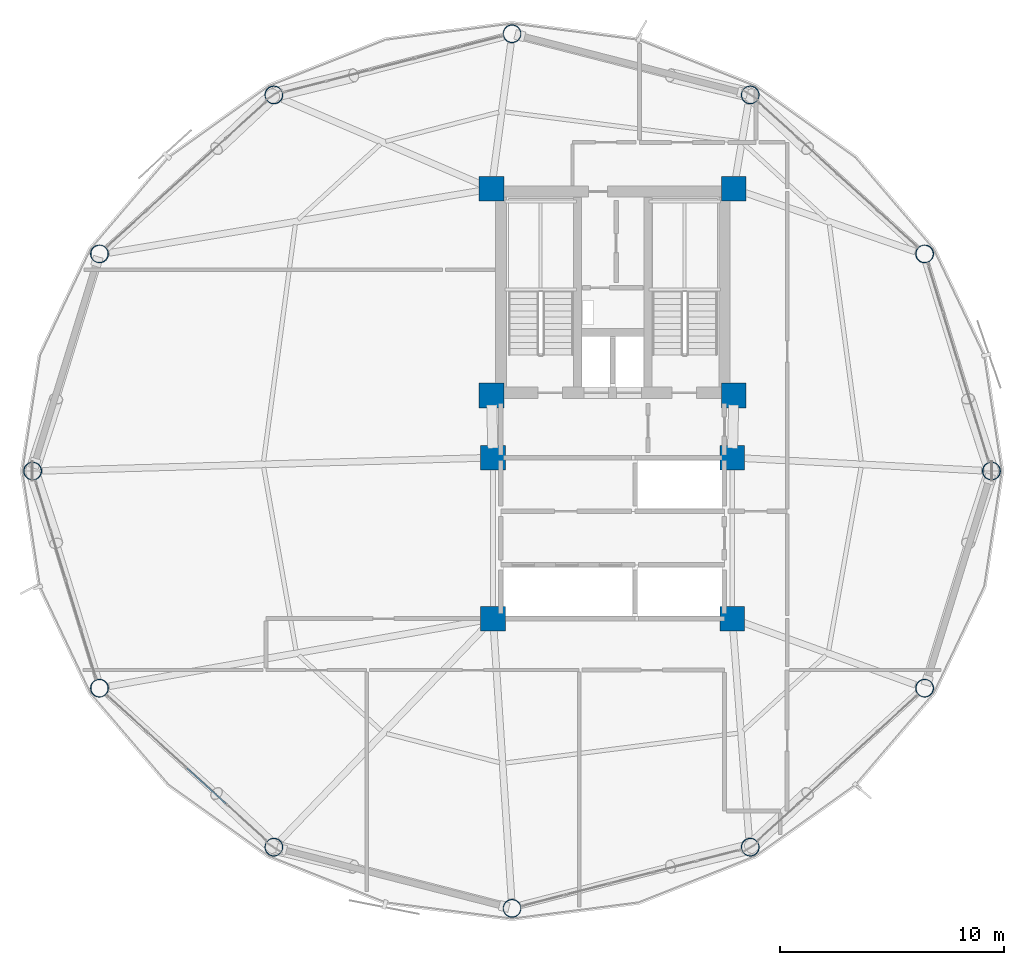
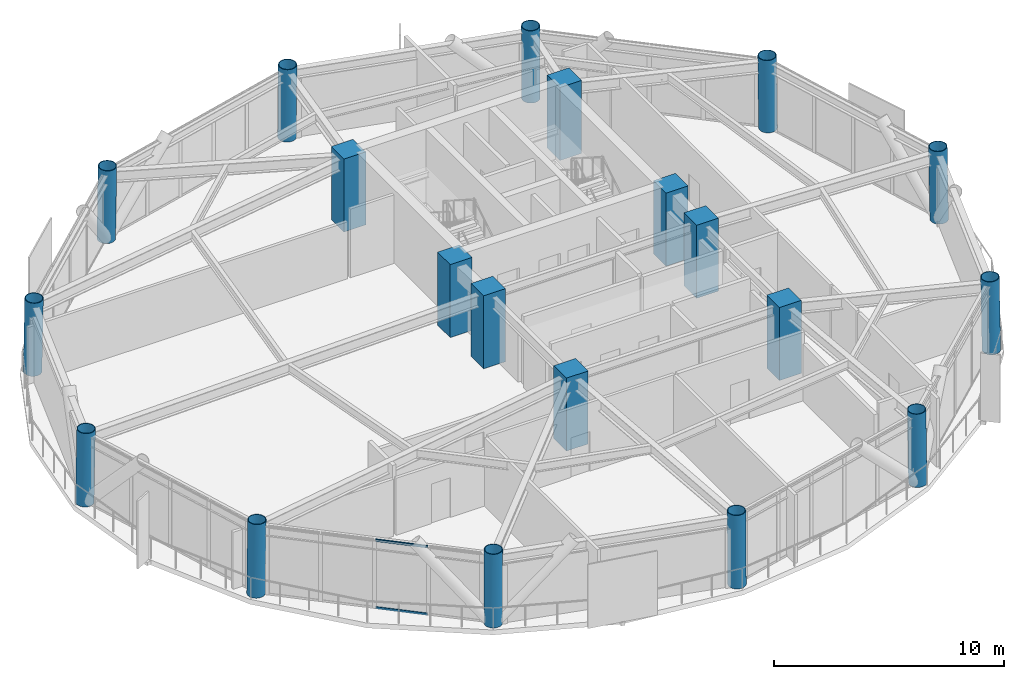
# One storey, part 1 of 24: 20 columns, 2 members, 1 element without a shape of its own.
"""IFC4 building model written with IfcOpenShell, lengths in metres."""

from ifc_helpers import new_model, si_unit, direction, frame, origin, origin_2d, place, context, subcontext, project, spatial, rectangle, hollow_rectangle, hollow_circle, extrude, material, layer, layer_set, material_profile, profile_set, type_object, element, aggregate, save


model = new_model("IFC4")

# Units and contexts
model_context = context("Model", 3, precision=1e-05, world=origin(), true_north=direction((0.0, 1.0)))
body_context = subcontext(model_context, "Body", "Model", "MODEL_VIEW")
ifc_project = project(units=[si_unit("LENGTHUNIT", "METRE"), si_unit("AREAUNIT", "SQUARE_METRE"), si_unit("VOLUMEUNIT", "CUBIC_METRE"), si_unit("PLANEANGLEUNIT", "RADIAN"), si_unit("MASSUNIT", "GRAM", prefix="KILO")], contexts=[model_context])

# Site, building, storey
site_placement = place(None, origin())
site = spatial("IfcSite", under=ifc_project, at=site_placement, CompositionType="ELEMENT")
building_placement = place(site_placement, origin())
building = spatial("IfcBuilding", under=site, at=building_placement, Name="Varnakorn Sky Granary", CompositionType="ELEMENT")
storey_placement = place(building_placement, frame((0.0, 0.0, 111.0)))
storey = spatial("IfcBuildingStorey", under=building, at=storey_placement, Name="L27", CompositionType="ELEMENT", Elevation=111.0)

# Columns
ifc_material_1 = material(Name="Steel S460M", Category="steel")
ifc_material_profile_1 = material_profile(ifc_material_1, hollow_circle(Radius=0.406494140625, WallThickness=0.030029296875, at=origin_2d()), Name="CHS 813x30")
ifc_profile_set_1 = profile_set([ifc_material_profile_1], Name="Steel S460M")
column_type_1 = type_object("IfcColumnType", Name="COL-DC-Z2", PredefinedType="COLUMN", material=ifc_profile_set_1)
for number, where, z_axis, x_axis, name in (
    (1, (19.949951171875, 0.0, 0.0), (-0.017260533083, 0.0, 0.999851025902), (0.0, -1.0, 0.0), "Drum Perimeter Column DC01 L27"),
    (2, (16.959228515625, 9.714599609375, 0.0), (-0.014930012538, -0.006110595849, 0.999869869205), (0.378784893666, -0.925484740193, 0.0), "Drum Perimeter Column DC02 L27"),
):
    element("IfcColumn", number, at=place(storey_placement, frame(where, z_axis=z_axis, x_axis=x_axis)), inside=storey, type_object=column_type_1, Name=name, PredefinedType="COLUMN", context=body_context, shape_type="SweptSolid", body=[
        extrude(hollow_circle(Radius=0.406494140625, WallThickness=0.030029296875, at=origin_2d()), origin(), (0.0, 0.0, 1.0), 3.87548828125),
    ])
for number, where, z_axis, x_axis, name in (
    (3, (9.157470703125, 16.825927734375, 0.0), (-0.008630758912, -0.010457707878, 0.999908068948), (0.771259229251, -0.636521171129, 0.0), "Drum Perimeter Column DC03 L27"),
    (4, (-1.5, 19.56396484375, 0.0), (0.0, -0.012095889218, 0.999926842056), (1.0, 0.0, 0.0), "Drum Perimeter Column DC04 L27"),
    (5, (-12.157470703125, 16.825927734375, 0.0), (0.008630758912, -0.010457707878, 0.999908068948), (0.771259229251, 0.636521171129, 0.0), "Drum Perimeter Column DC05 L27"),
):
    element("IfcColumn", number, at=place(storey_placement, frame(where, z_axis=z_axis, x_axis=x_axis)), inside=storey, type_object=column_type_1, Name=name, PredefinedType="COLUMN", context=body_context, shape_type="SweptSolid", body=[
        extrude(hollow_circle(Radius=0.406494140625, WallThickness=0.030029296875, at=origin_2d()), origin(), (0.0, 0.0, 1.0), 3.875244140625),
    ])
for number, where, z_axis, x_axis, name in (
    (6, (-19.959228515625, 9.714599609375, 0.0), (0.014930012538, -0.006110595849, 0.999869869205), (0.378784893666, 0.925484740193, 0.0), "Drum Perimeter Column DC06 L27"),
    (7, (-22.949951171875, 0.0, 0.0), (0.017260533083, 0.0, 0.999851025902), (0.0, 1.0, 0.0), "Drum Perimeter Column DC07 L27"),
    (8, (-19.959228515625, -9.714599609375, 0.0), (0.014930012538, 0.006110595849, 0.999869869205), (-0.378784893666, 0.925484740193, 0.0), "Drum Perimeter Column DC08 L27"),
):
    element("IfcColumn", number, at=place(storey_placement, frame(where, z_axis=z_axis, x_axis=x_axis)), inside=storey, type_object=column_type_1, Name=name, PredefinedType="COLUMN", context=body_context, shape_type="SweptSolid", body=[
        extrude(hollow_circle(Radius=0.406494140625, WallThickness=0.030029296875, at=origin_2d()), origin(), (0.0, 0.0, 1.0), 3.87548828125),
    ])
for number, where, z_axis, x_axis, name in (
    (9, (-12.157470703125, -16.825927734375, 0.0), (0.008630758912, 0.010457707878, 0.999908068948), (-0.771259229251, 0.636521171129, 0.0), "Drum Perimeter Column DC09 L27"),
    (10, (-1.5, -19.56396484375, 0.0), (0.0, 0.012095889218, 0.999926842056), (-1.0, 0.0, 0.0), "Drum Perimeter Column DC10 L27"),
    (11, (9.157470703125, -16.825927734375, 0.0), (-0.008630758912, 0.010457707878, 0.999908068948), (-0.771259229251, -0.636521171129, 0.0), "Drum Perimeter Column DC11 L27"),
):
    element("IfcColumn", number, at=place(storey_placement, frame(where, z_axis=z_axis, x_axis=x_axis)), inside=storey, type_object=column_type_1, Name=name, PredefinedType="COLUMN", context=body_context, shape_type="SweptSolid", body=[
        extrude(hollow_circle(Radius=0.406494140625, WallThickness=0.030029296875, at=origin_2d()), origin(), (0.0, 0.0, 1.0), 3.875244140625),
    ])
column_placement = place(storey_placement, frame((16.959228515625, -9.714599609375, 0.0), z_axis=(-0.014930012538, 0.006110595849, 0.999869869205), x_axis=(-0.378784893666, -0.925484740193, 0.0)))
element("IfcColumn", 12, at=column_placement, inside=storey, type_object=column_type_1, Name="Drum Perimeter Column DC12 L27", PredefinedType="COLUMN", context=body_context, shape_type="SweptSolid", body=[
    extrude(hollow_circle(Radius=0.406494140625, WallThickness=0.030029296875, at=origin_2d()), origin(), (0.0, 0.0, 1.0), 3.87548828125),
])
ifc_material_2 = material(Name="Concrete C60/75", Category="concrete")
ifc_material_profile_2 = material_profile(ifc_material_2, rectangle(XDim=1.10009765625, YDim=1.10009765625, at=origin_2d()), Name="RC 1100x1100")
ifc_profile_set_2 = profile_set([ifc_material_profile_2], Name="Concrete C60/75")
column_type_2 = type_object("IfcColumnType", Name="COL-MC-Z2", PredefinedType="COLUMN", material=ifc_profile_set_2)
for number, where, z_axis, x_axis, name in (
    (13, (-2.419921875, 12.6201171875, 0.0), (0.0, 0.0, 1.0), (1.0, 0.0, 0.0), "Backbone Mega-Column MC1 L27"),
    (14, (8.419921875, 12.6201171875, 0.0), (0.0, 0.0, 1.0), (1.0, 0.0, 0.0), "Backbone Mega-Column MC2 L27"),
    (15, (-2.419921875, 3.3798828125, 0.0), (0.0, 0.0, 1.0), (1.0, 0.0, 0.0), "Backbone Mega-Column MC3 L27"),
    (16, (8.419921875, 3.3798828125, 0.0), (0.0, 0.0, 1.0), (1.0, 0.0, 0.0), "Backbone Mega-Column MC4 L27"),
    (17, (-2.35009765625, 0.60009765625, 0.0), (0.0, 0.0, 1.0), (1.0, 0.0, 0.0), "Backbone Mega-Column MC5 L27"),
    (18, (8.35009765625, 0.60009765625, 0.0), (0.0, 0.0, 1.0), (1.0, 0.0, 0.0), "Backbone Mega-Column MC6 L27"),
    (19, (-2.35009765625, -6.60009765625, 0.0), (0.0, 0.0, 1.0), (1.0, 0.0, 0.0), "Backbone Mega-Column MC7 L27"),
    (20, (8.35009765625, -6.60009765625, 0.0), (0.0, 0.0, 1.0), (1.0, 0.0, 0.0), "Backbone Mega-Column MC8 L27"),
):
    element("IfcColumn", number, at=place(storey_placement, frame(where, z_axis=z_axis, x_axis=x_axis)), inside=storey, type_object=column_type_2, Name=name, PredefinedType="COLUMN", context=body_context, shape_type="SweptSolid", body=[
        extrude(rectangle(XDim=1.10009765625, YDim=1.10009765625, at=origin_2d()), origin(), (0.0, 0.0, 1.0), 3.875),
    ])

# Curtain wall, members
ifc_material_3 = material(Name="Anodised Bronze Aluminium Alloy 6063-T6", Category="aluminium")
ifc_layer = layer(ifc_material_3, 0.179931640625, Name="Anodised Bronze Aluminium Alloy 6063-T6")
ifc_layer_set = layer_set([ifc_layer], Name="Anodised Bronze Aluminium Alloy 6063-T6")
curtain_wall_type = type_object("IfcCurtainWallType", Name="CW-FRM-2", PredefinedType="USERDEFINED", material=ifc_layer_set)
curtain_wall_placement = place(storey_placement, origin())
curtain_wall = element("IfcCurtainWall", 21, at=curtain_wall_placement, inside=storey, type_object=curtain_wall_type, Name="Unitised Curtain Wall CW4 CW-L27-B08", ObjectType="CURTAIN WALL", PredefinedType="USERDEFINED")
ifc_material_profile_3 = material_profile(ifc_material_3, hollow_rectangle(XDim=0.06494140625, YDim=0.1201171875, WallThickness=0.00341796875, at=origin_2d()), Name="ALU TRAN 65x120")
ifc_profile_set_3 = profile_set([ifc_material_profile_3], Name="Anodised Bronze Aluminium Alloy 6063-T6")
member_type = type_object("IfcMemberType", Name="CW-FRM-2-TRAN", PredefinedType="USERDEFINED", material=ifc_profile_set_3)
member_1_placement = place(storey_placement, frame((-14.30615234375, -14.867431640625, 0.032470703125), z_axis=(-0.739064502056, 0.673634664934, 0.0), x_axis=(-0.673634664934, -0.739064502056, 0.0)))
member_1 = element("IfcMember", 22, at=member_1_placement, type_object=member_type, Name="CW4 transom 2.1", ObjectType="TRANSOM", PredefinedType="USERDEFINED", context=body_context, shape_type="SweptSolid", body=[
    extrude(hollow_rectangle(XDim=0.06494140625, YDim=0.1201171875, WallThickness=0.00341796875, at=origin_2d()), origin(), (0.0, 0.0, 1.0), 2.3359375),
])
member_2_placement = place(storey_placement, frame((-14.30615234375, -14.867431640625, 3.607421875), z_axis=(-0.739064502056, 0.673634664934, 0.0), x_axis=(-0.673634664934, -0.739064502056, 0.0)))
member_2 = element("IfcMember", 23, at=member_2_placement, type_object=member_type, Name="CW4 transom 2.2", ObjectType="TRANSOM", PredefinedType="USERDEFINED", context=body_context, shape_type="SweptSolid", body=[
    extrude(hollow_rectangle(XDim=0.06494140625, YDim=0.1201171875, WallThickness=0.00341796875, at=origin_2d()), origin(), (0.0, 0.0, 1.0), 2.3359375),
])
aggregate(curtain_wall, [member_1, member_2])

save(model, "model.ifc")
